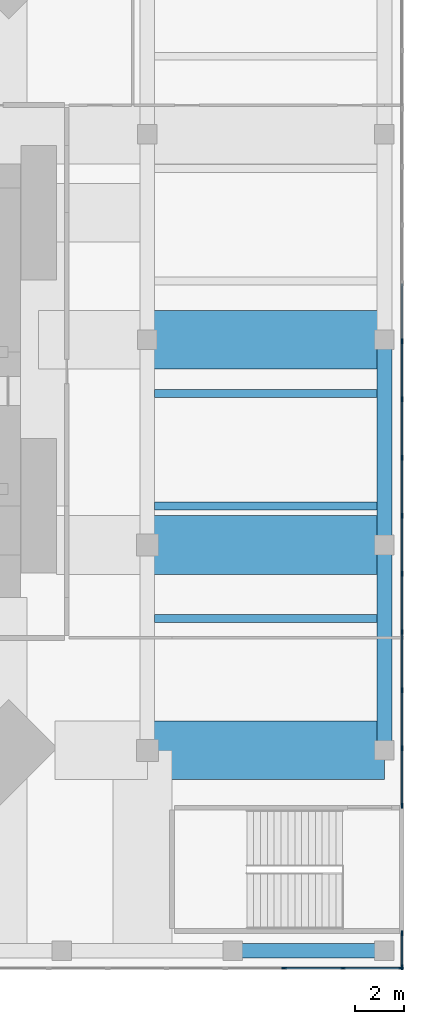
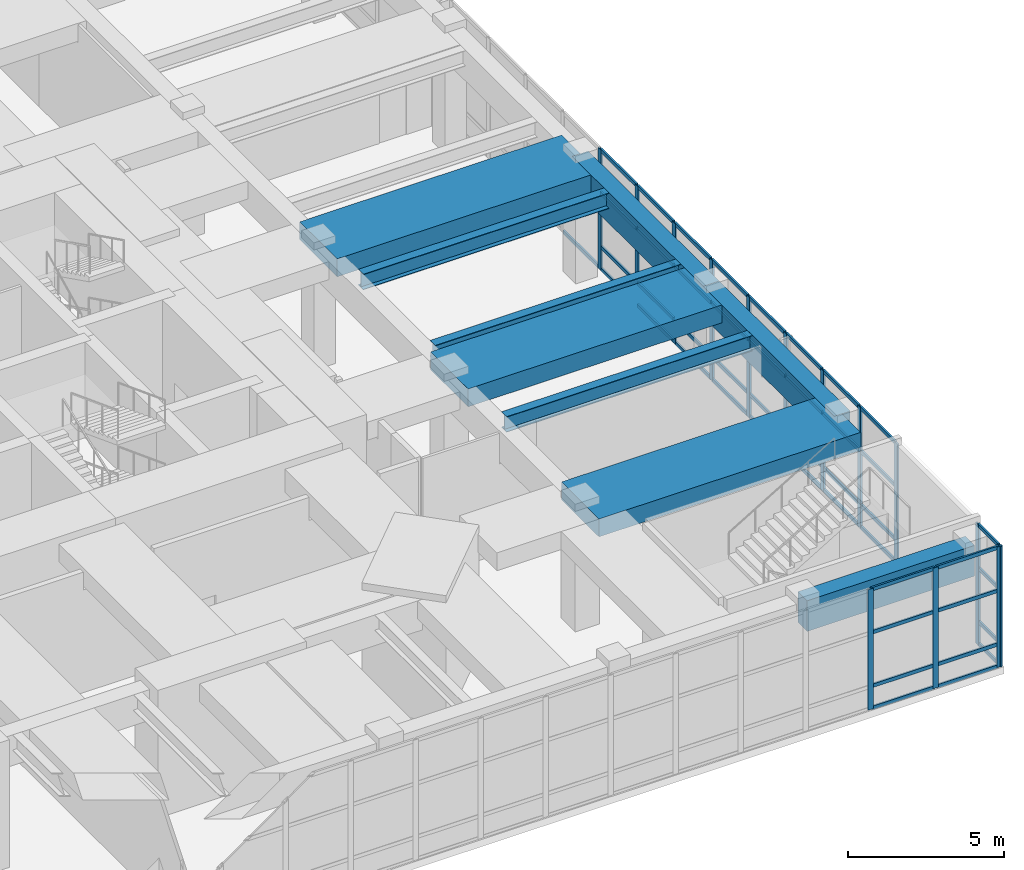
# One storey, part 11 of 24: 59 members, 9 beams, 3 elements without a shape of their own.
"""IFC4 building model written with IfcOpenShell, lengths in metres."""

from ifc_helpers import new_model, si_unit, direction, frame, origin, origin_2d, place, context, subcontext, project, spatial, rectangle, i_section, extrude, material, material_profile, profile_set, type_object, element, aggregate, save


model = new_model("IFC4")

# Units and contexts
model_context = context("Model", 3, precision=1e-05, world=origin(), true_north=direction((0.0, 1.0)))
body_context = subcontext(model_context, "Body", "Model", "MODEL_VIEW")
ifc_project = project(units=[si_unit("LENGTHUNIT", "METRE"), si_unit("AREAUNIT", "SQUARE_METRE"), si_unit("VOLUMEUNIT", "CUBIC_METRE"), si_unit("PLANEANGLEUNIT", "RADIAN"), si_unit("MASSUNIT", "GRAM", prefix="KILO")], contexts=[model_context])

# Site, building, storey
site_placement = place(None, origin())
site = spatial("IfcSite", under=ifc_project, at=site_placement, CompositionType="ELEMENT")
building_placement = place(site_placement, origin())
building = spatial("IfcBuilding", under=site, at=building_placement, Name="Jalousie Tower", CompositionType="ELEMENT")
storey_placement = place(building_placement, frame((0.0, 0.0, 11.0)))
storey = spatial("IfcBuildingStorey", under=building, at=storey_placement, Name="L02", CompositionType="ELEMENT", Elevation=11.0)

# Beams
ifc_material_1 = material(Name="Steel ASTM A992 Grade 50", Category="steel")
ifc_material_profile_1 = material_profile(ifc_material_1, i_section(OverallWidth=0.3251953125, OverallDepth=0.612060546875, WebThickness=0.0126953125, FlangeThickness=0.01904296875, at=origin_2d()), Name="W24X104")
ifc_profile_set_1 = profile_set([ifc_material_profile_1], Name="Steel ASTM A992 Grade 50")
beam_type_1 = type_object("IfcBeamType", Name="PLANT FLOOR BEAM W24X104", PredefinedType="BEAM", material=ifc_profile_set_1)
for number, where, z_axis, x_axis, name in (
    (1, (49.800048828125, 8.39990234375, 4.413818359375), (1.0, 0.0, 0.0), (0.0, 1.0, 0.0), "Plant floor beam under Air handling plant room L03"),
    (2, (49.800048828125, 13.0, 4.413818359375), (1.0, 0.0, 0.0), (0.0, 1.0, 0.0), "Plant floor beam under Air handling plant room L03"),
    (3, (49.800048828125, 17.60009765625, 4.413818359375), (1.0, 0.0, 0.0), (0.0, 1.0, 0.0), "Plant floor beam under Air handling plant room L03"),
):
    element("IfcBeam", number, at=place(storey_placement, frame(where, z_axis=z_axis, x_axis=x_axis)), inside=storey, type_object=beam_type_1, Name=name, PredefinedType="BEAM", context=body_context, shape_type="SweptSolid", body=[
        extrude(i_section(OverallWidth=0.3251953125, OverallDepth=0.612060546875, WebThickness=0.0126953125, FlangeThickness=0.01904296875, at=origin_2d()), origin(), (0.0, 0.0, 1.0), 9.099853515625),
    ])

# Curtain wall, members
ifc_material_2 = material(Name="Aluminium curtain wall", Category="aluminium")
curtain_wall_type = type_object("IfcCurtainWallType", Name="PODIUM WINDOW WALL", PredefinedType="USERDEFINED", material=ifc_material_2)
curtain_wall_1_placement = place(storey_placement, origin())
curtain_wall_1 = element("IfcCurtainWall", 4, at=curtain_wall_1_placement, inside=storey, type_object=curtain_wall_type, Name="Podium Window Wall L02 1", ObjectType="PODIUM WINDOW WALL", PredefinedType="USERDEFINED")
ifc_material_3 = material(Name="Aluminium mullion", Category="aluminium")
ifc_material_profile_2 = material_profile(ifc_material_3, rectangle(XDim=0.070068359375, YDim=0.199951171875, at=origin_2d()), Name="MULLION 70x200")
ifc_profile_set_2 = profile_set([ifc_material_profile_2], Name="Aluminium mullion")
member_type_1 = type_object("IfcMemberType", Name="PODIUM WINDOW WALL MULLION", PredefinedType="MULLION", material=ifc_profile_set_2)
member_1_placement = place(storey_placement, frame((55.096923828125, -5.91259765625, 0.0), z_axis=(0.0, 0.0, 1.0), x_axis=(0.0, 1.0, 0.0)))
member_1 = element("IfcMember", 5, at=member_1_placement, type_object=member_type_1, Name="CW-P mullion 28", PredefinedType="MULLION", context=body_context, shape_type="SweptSolid", body=[
    extrude(rectangle(XDim=0.070068359375, YDim=0.199951171875, at=origin_2d()), origin(), (0.0, 0.0, 1.0), 4.719970703125),
])
member_2_placement = place(storey_placement, frame((57.504638671875, -5.91259765625, 0.0), z_axis=(0.0, 0.0, 1.0), x_axis=(0.0, 1.0, 0.0)))
member_2 = element("IfcMember", 6, at=member_2_placement, type_object=member_type_1, Name="CW-P mullion 29", PredefinedType="MULLION", context=body_context, shape_type="SweptSolid", body=[
    extrude(rectangle(XDim=0.070068359375, YDim=0.199951171875, at=origin_2d()), origin(), (0.0, 0.0, 1.0), 4.719970703125),
])
member_3_placement = place(storey_placement, frame((59.87744140625, -5.91259765625, 0.0), z_axis=(0.0, 0.0, 1.0), x_axis=(0.0, 1.0, 0.0)))
member_3 = element("IfcMember", 7, at=member_3_placement, type_object=member_type_1, Name="CW-P mullion 30", PredefinedType="MULLION", context=body_context, shape_type="SweptSolid", body=[
    extrude(rectangle(XDim=0.070068359375, YDim=0.199951171875, at=origin_2d()), origin(), (0.0, 0.0, 1.0), 4.719970703125),
])

curtain_wall_2_placement = place(storey_placement, origin())
curtain_wall_2 = element("IfcCurtainWall", 8, at=curtain_wall_2_placement, inside=storey, type_object=curtain_wall_type, Name="Podium Window Wall L02 11", ObjectType="PODIUM WINDOW WALL", PredefinedType="USERDEFINED")
member_4_placement = place(storey_placement, frame((59.91259765625, -5.87744140625, 0.0), z_axis=(0.0, 0.0, 1.0), x_axis=(-1.0, 0.0, 0.0)))
member_4 = element("IfcMember", 9, at=member_4_placement, type_object=member_type_1, Name="CW-P mullion 1", PredefinedType="MULLION", context=body_context, shape_type="SweptSolid", body=[
    extrude(rectangle(XDim=0.070068359375, YDim=0.199951171875, at=origin_2d()), origin(), (0.0, 0.0, 1.0), 4.719970703125),
])
member_5_placement = place(storey_placement, frame((59.91259765625, -4.485107421875, 0.0), z_axis=(0.0, 0.0, 1.0), x_axis=(-1.0, 0.0, 0.0)))
member_5 = element("IfcMember", 10, at=member_5_placement, type_object=member_type_1, Name="CW-P mullion 2", PredefinedType="MULLION", context=body_context, shape_type="SweptSolid", body=[
    extrude(rectangle(XDim=0.070068359375, YDim=0.199951171875, at=origin_2d()), origin(), (0.0, 0.0, 1.0), 4.719970703125),
])

curtain_wall_3_placement = place(storey_placement, origin())
curtain_wall_3 = element("IfcCurtainWall", 11, at=curtain_wall_3_placement, inside=storey, type_object=curtain_wall_type, Name="Podium Window Wall L02 13", ObjectType="PODIUM WINDOW WALL", PredefinedType="USERDEFINED")
member_6_placement = place(storey_placement, frame((59.91259765625, 0.735107421875, 0.0), z_axis=(0.0, 0.0, 1.0), x_axis=(-1.0, 0.0, 0.0)))
member_6 = element("IfcMember", 12, at=member_6_placement, type_object=member_type_1, Name="CW-P mullion 1", PredefinedType="MULLION", context=body_context, shape_type="SweptSolid", body=[
    extrude(rectangle(XDim=0.070068359375, YDim=0.199951171875, at=origin_2d()), origin(), (0.0, 0.0, 1.0), 4.719970703125),
])
member_7_placement = place(storey_placement, frame((59.91259765625, 3.07958984375, 0.0), z_axis=(0.0, 0.0, 1.0), x_axis=(-1.0, 0.0, 0.0)))
member_7 = element("IfcMember", 13, at=member_7_placement, type_object=member_type_1, Name="CW-P mullion 2", PredefinedType="MULLION", context=body_context, shape_type="SweptSolid", body=[
    extrude(rectangle(XDim=0.070068359375, YDim=0.199951171875, at=origin_2d()), origin(), (0.0, 0.0, 1.0), 4.719970703125),
])
member_8_placement = place(storey_placement, frame((59.91259765625, 5.459228515625, 0.0), z_axis=(0.0, 0.0, 1.0), x_axis=(-1.0, 0.0, 0.0)))
member_8 = element("IfcMember", 14, at=member_8_placement, type_object=member_type_1, Name="CW-P mullion 3", PredefinedType="MULLION", context=body_context, shape_type="SweptSolid", body=[
    extrude(rectangle(XDim=0.070068359375, YDim=0.199951171875, at=origin_2d()), origin(), (0.0, 0.0, 1.0), 4.719970703125),
])
member_9_placement = place(storey_placement, frame((59.91259765625, 7.8388671875, 0.0), z_axis=(0.0, 0.0, 1.0), x_axis=(-1.0, 0.0, 0.0)))
member_9 = element("IfcMember", 15, at=member_9_placement, type_object=member_type_1, Name="CW-P mullion 4", PredefinedType="MULLION", context=body_context, shape_type="SweptSolid", body=[
    extrude(rectangle(XDim=0.070068359375, YDim=0.199951171875, at=origin_2d()), origin(), (0.0, 0.0, 1.0), 4.719970703125),
])
member_10_placement = place(storey_placement, frame((59.91259765625, 10.218505859375, 0.0), z_axis=(0.0, 0.0, 1.0), x_axis=(-1.0, 0.0, 0.0)))
member_10 = element("IfcMember", 16, at=member_10_placement, type_object=member_type_1, Name="CW-P mullion 5", PredefinedType="MULLION", context=body_context, shape_type="SweptSolid", body=[
    extrude(rectangle(XDim=0.070068359375, YDim=0.199951171875, at=origin_2d()), origin(), (0.0, 0.0, 1.0), 4.719970703125),
])
member_11_placement = place(storey_placement, frame((59.91259765625, 12.59814453125, 0.0), z_axis=(0.0, 0.0, 1.0), x_axis=(-1.0, 0.0, 0.0)))
member_11 = element("IfcMember", 17, at=member_11_placement, type_object=member_type_1, Name="CW-P mullion 6", PredefinedType="MULLION", context=body_context, shape_type="SweptSolid", body=[
    extrude(rectangle(XDim=0.070068359375, YDim=0.199951171875, at=origin_2d()), origin(), (0.0, 0.0, 1.0), 4.719970703125),
])
member_12_placement = place(storey_placement, frame((59.91259765625, 14.9775390625, 0.0), z_axis=(0.0, 0.0, 1.0), x_axis=(-1.0, 0.0, 0.0)))
member_12 = element("IfcMember", 18, at=member_12_placement, type_object=member_type_1, Name="CW-P mullion 7", PredefinedType="MULLION", context=body_context, shape_type="SweptSolid", body=[
    extrude(rectangle(XDim=0.070068359375, YDim=0.199951171875, at=origin_2d()), origin(), (0.0, 0.0, 1.0), 4.719970703125),
])
member_13_placement = place(storey_placement, frame((59.91259765625, 17.357177734375, 0.0), z_axis=(0.0, 0.0, 1.0), x_axis=(-1.0, 0.0, 0.0)))
member_13 = element("IfcMember", 19, at=member_13_placement, type_object=member_type_1, Name="CW-P mullion 8", PredefinedType="MULLION", context=body_context, shape_type="SweptSolid", body=[
    extrude(rectangle(XDim=0.070068359375, YDim=0.199951171875, at=origin_2d()), origin(), (0.0, 0.0, 1.0), 4.719970703125),
])
member_14_placement = place(storey_placement, frame((59.91259765625, 19.73681640625, 0.0), z_axis=(0.0, 0.0, 1.0), x_axis=(-1.0, 0.0, 0.0)))
member_14 = element("IfcMember", 20, at=member_14_placement, type_object=member_type_1, Name="CW-P mullion 9", PredefinedType="MULLION", context=body_context, shape_type="SweptSolid", body=[
    extrude(rectangle(XDim=0.070068359375, YDim=0.199951171875, at=origin_2d()), origin(), (0.0, 0.0, 1.0), 4.719970703125),
])

# Member
ifc_material_4 = material(Name="Aluminium transom", Category="aluminium")
ifc_material_profile_3 = material_profile(ifc_material_4, rectangle(XDim=0.070068359375, YDim=0.139892578125, at=origin_2d()), Name="TRANSOM 70x140")
ifc_profile_set_3 = profile_set([ifc_material_profile_3], Name="Aluminium transom")
member_type_2 = type_object("IfcMemberType", Name="PODIUM WINDOW WALL TRANSOM", PredefinedType="USERDEFINED", material=ifc_profile_set_3)
member_15_placement = place(storey_placement, frame((55.132080078125, -5.91259765625, 0.034912109375), z_axis=(1.0, 0.0, 0.0), x_axis=(0.0, 1.0, 0.0)))
member_15 = element("IfcMember", 21, at=member_15_placement, type_object=member_type_2, Name="CW-P transom 28.1", ObjectType="TRANSOM", PredefinedType="USERDEFINED", context=body_context, shape_type="SweptSolid", body=[
    extrude(rectangle(XDim=0.070068359375, YDim=0.139892578125, at=origin_2d()), origin(), (0.0, 0.0, 1.0), 2.337646484375),
])

member_16_placement = place(storey_placement, frame((55.132080078125, -5.91259765625, 0.89990234375), z_axis=(1.0, 0.0, 0.0), x_axis=(0.0, 1.0, 0.0)))
member_16 = element("IfcMember", 22, at=member_16_placement, type_object=member_type_2, Name="CW-P transom 28.2", ObjectType="TRANSOM", PredefinedType="USERDEFINED", context=body_context, shape_type="SweptSolid", body=[
    extrude(rectangle(XDim=0.070068359375, YDim=0.139892578125, at=origin_2d()), origin(), (0.0, 0.0, 1.0), 2.337646484375),
])

member_17_placement = place(storey_placement, frame((55.132080078125, -5.91259765625, 3.0), z_axis=(1.0, 0.0, 0.0), x_axis=(0.0, 1.0, 0.0)))
member_17 = element("IfcMember", 23, at=member_17_placement, type_object=member_type_2, Name="CW-P transom 28.3", ObjectType="TRANSOM", PredefinedType="USERDEFINED", context=body_context, shape_type="SweptSolid", body=[
    extrude(rectangle(XDim=0.070068359375, YDim=0.139892578125, at=origin_2d()), origin(), (0.0, 0.0, 1.0), 2.337646484375),
])

member_18_placement = place(storey_placement, frame((55.132080078125, -5.91259765625, 4.68505859375), z_axis=(1.0, 0.0, 0.0), x_axis=(0.0, 1.0, 0.0)))
member_18 = element("IfcMember", 24, at=member_18_placement, type_object=member_type_2, Name="CW-P transom 28.4", ObjectType="TRANSOM", PredefinedType="USERDEFINED", context=body_context, shape_type="SweptSolid", body=[
    extrude(rectangle(XDim=0.070068359375, YDim=0.139892578125, at=origin_2d()), origin(), (0.0, 0.0, 1.0), 2.337646484375),
])

member_19_placement = place(storey_placement, frame((57.539794921875, -5.91259765625, 0.034912109375), z_axis=(1.0, 0.0, 0.0), x_axis=(0.0, 1.0, 0.0)))
member_19 = element("IfcMember", 25, at=member_19_placement, type_object=member_type_2, Name="CW-P transom 29.1", ObjectType="TRANSOM", PredefinedType="USERDEFINED", context=body_context, shape_type="SweptSolid", body=[
    extrude(rectangle(XDim=0.070068359375, YDim=0.139892578125, at=origin_2d()), origin(), (0.0, 0.0, 1.0), 2.302734375),
])

member_20_placement = place(storey_placement, frame((57.539794921875, -5.91259765625, 0.89990234375), z_axis=(1.0, 0.0, 0.0), x_axis=(0.0, 1.0, 0.0)))
member_20 = element("IfcMember", 26, at=member_20_placement, type_object=member_type_2, Name="CW-P transom 29.2", ObjectType="TRANSOM", PredefinedType="USERDEFINED", context=body_context, shape_type="SweptSolid", body=[
    extrude(rectangle(XDim=0.070068359375, YDim=0.139892578125, at=origin_2d()), origin(), (0.0, 0.0, 1.0), 2.302734375),
])

member_21_placement = place(storey_placement, frame((57.539794921875, -5.91259765625, 3.0), z_axis=(1.0, 0.0, 0.0), x_axis=(0.0, 1.0, 0.0)))
member_21 = element("IfcMember", 27, at=member_21_placement, type_object=member_type_2, Name="CW-P transom 29.3", ObjectType="TRANSOM", PredefinedType="USERDEFINED", context=body_context, shape_type="SweptSolid", body=[
    extrude(rectangle(XDim=0.070068359375, YDim=0.139892578125, at=origin_2d()), origin(), (0.0, 0.0, 1.0), 2.302734375),
])

member_22_placement = place(storey_placement, frame((57.539794921875, -5.91259765625, 4.68505859375), z_axis=(1.0, 0.0, 0.0), x_axis=(0.0, 1.0, 0.0)))
member_22 = element("IfcMember", 28, at=member_22_placement, type_object=member_type_2, Name="CW-P transom 29.4", ObjectType="TRANSOM", PredefinedType="USERDEFINED", context=body_context, shape_type="SweptSolid", body=[
    extrude(rectangle(XDim=0.070068359375, YDim=0.139892578125, at=origin_2d()), origin(), (0.0, 0.0, 1.0), 2.302734375),
])

aggregate(curtain_wall_1, [member_1, member_2, member_3, member_15, member_16, member_17, member_18, member_19, member_20, member_21, member_22])

member_23_placement = place(storey_placement, frame((59.91259765625, -5.842529296875, 0.034912109375), z_axis=(0.0, 1.0, 0.0), x_axis=(-1.0, 0.0, 0.0)))
member_23 = element("IfcMember", 29, at=member_23_placement, type_object=member_type_2, Name="CW-P transom 1.1", ObjectType="TRANSOM", PredefinedType="USERDEFINED", context=body_context, shape_type="SweptSolid", body=[
    extrude(rectangle(XDim=0.070068359375, YDim=0.139892578125, at=origin_2d()), origin(), (0.0, 0.0, 1.0), 1.322509765625),
])

member_24_placement = place(storey_placement, frame((59.91259765625, -5.842529296875, 0.89990234375), z_axis=(0.0, 1.0, 0.0), x_axis=(-1.0, 0.0, 0.0)))
member_24 = element("IfcMember", 30, at=member_24_placement, type_object=member_type_2, Name="CW-P transom 1.2", ObjectType="TRANSOM", PredefinedType="USERDEFINED", context=body_context, shape_type="SweptSolid", body=[
    extrude(rectangle(XDim=0.070068359375, YDim=0.139892578125, at=origin_2d()), origin(), (0.0, 0.0, 1.0), 1.322509765625),
])

member_25_placement = place(storey_placement, frame((59.91259765625, -5.842529296875, 3.0), z_axis=(0.0, 1.0, 0.0), x_axis=(-1.0, 0.0, 0.0)))
member_25 = element("IfcMember", 31, at=member_25_placement, type_object=member_type_2, Name="CW-P transom 1.3", ObjectType="TRANSOM", PredefinedType="USERDEFINED", context=body_context, shape_type="SweptSolid", body=[
    extrude(rectangle(XDim=0.070068359375, YDim=0.139892578125, at=origin_2d()), origin(), (0.0, 0.0, 1.0), 1.322509765625),
])

member_26_placement = place(storey_placement, frame((59.91259765625, -5.842529296875, 4.68505859375), z_axis=(0.0, 1.0, 0.0), x_axis=(-1.0, 0.0, 0.0)))
member_26 = element("IfcMember", 32, at=member_26_placement, type_object=member_type_2, Name="CW-P transom 1.4", ObjectType="TRANSOM", PredefinedType="USERDEFINED", context=body_context, shape_type="SweptSolid", body=[
    extrude(rectangle(XDim=0.070068359375, YDim=0.139892578125, at=origin_2d()), origin(), (0.0, 0.0, 1.0), 1.322509765625),
])

aggregate(curtain_wall_2, [member_4, member_5, member_23, member_24, member_25, member_26])

member_27_placement = place(storey_placement, frame((59.91259765625, 0.77001953125, 0.034912109375), z_axis=(0.0, 1.0, 0.0), x_axis=(-1.0, 0.0, 0.0)))
member_27 = element("IfcMember", 33, at=member_27_placement, type_object=member_type_2, Name="CW-P transom 1.1", ObjectType="TRANSOM", PredefinedType="USERDEFINED", context=body_context, shape_type="SweptSolid", body=[
    extrude(rectangle(XDim=0.070068359375, YDim=0.139892578125, at=origin_2d()), origin(), (0.0, 0.0, 1.0), 2.274658203125),
])

member_28_placement = place(storey_placement, frame((59.91259765625, 0.77001953125, 0.89990234375), z_axis=(0.0, 1.0, 0.0), x_axis=(-1.0, 0.0, 0.0)))
member_28 = element("IfcMember", 34, at=member_28_placement, type_object=member_type_2, Name="CW-P transom 1.2", ObjectType="TRANSOM", PredefinedType="USERDEFINED", context=body_context, shape_type="SweptSolid", body=[
    extrude(rectangle(XDim=0.070068359375, YDim=0.139892578125, at=origin_2d()), origin(), (0.0, 0.0, 1.0), 2.274658203125),
])

member_29_placement = place(storey_placement, frame((59.91259765625, 0.77001953125, 3.0), z_axis=(0.0, 1.0, 0.0), x_axis=(-1.0, 0.0, 0.0)))
member_29 = element("IfcMember", 35, at=member_29_placement, type_object=member_type_2, Name="CW-P transom 1.3", ObjectType="TRANSOM", PredefinedType="USERDEFINED", context=body_context, shape_type="SweptSolid", body=[
    extrude(rectangle(XDim=0.070068359375, YDim=0.139892578125, at=origin_2d()), origin(), (0.0, 0.0, 1.0), 2.274658203125),
])

member_30_placement = place(storey_placement, frame((59.91259765625, 0.77001953125, 4.68505859375), z_axis=(0.0, 1.0, 0.0), x_axis=(-1.0, 0.0, 0.0)))
member_30 = element("IfcMember", 36, at=member_30_placement, type_object=member_type_2, Name="CW-P transom 1.4", ObjectType="TRANSOM", PredefinedType="USERDEFINED", context=body_context, shape_type="SweptSolid", body=[
    extrude(rectangle(XDim=0.070068359375, YDim=0.139892578125, at=origin_2d()), origin(), (0.0, 0.0, 1.0), 2.274658203125),
])

member_31_placement = place(storey_placement, frame((59.91259765625, 3.114501953125, 0.034912109375), z_axis=(0.0, 1.0, 0.0), x_axis=(-1.0, 0.0, 0.0)))
member_31 = element("IfcMember", 37, at=member_31_placement, type_object=member_type_2, Name="CW-P transom 2.1", ObjectType="TRANSOM", PredefinedType="USERDEFINED", context=body_context, shape_type="SweptSolid", body=[
    extrude(rectangle(XDim=0.070068359375, YDim=0.139892578125, at=origin_2d()), origin(), (0.0, 0.0, 1.0), 2.309814453125),
])

member_32_placement = place(storey_placement, frame((59.91259765625, 3.114501953125, 0.89990234375), z_axis=(0.0, 1.0, 0.0), x_axis=(-1.0, 0.0, 0.0)))
member_32 = element("IfcMember", 38, at=member_32_placement, type_object=member_type_2, Name="CW-P transom 2.2", ObjectType="TRANSOM", PredefinedType="USERDEFINED", context=body_context, shape_type="SweptSolid", body=[
    extrude(rectangle(XDim=0.070068359375, YDim=0.139892578125, at=origin_2d()), origin(), (0.0, 0.0, 1.0), 2.309814453125),
])

member_33_placement = place(storey_placement, frame((59.91259765625, 3.114501953125, 3.0), z_axis=(0.0, 1.0, 0.0), x_axis=(-1.0, 0.0, 0.0)))
member_33 = element("IfcMember", 39, at=member_33_placement, type_object=member_type_2, Name="CW-P transom 2.3", ObjectType="TRANSOM", PredefinedType="USERDEFINED", context=body_context, shape_type="SweptSolid", body=[
    extrude(rectangle(XDim=0.070068359375, YDim=0.139892578125, at=origin_2d()), origin(), (0.0, 0.0, 1.0), 2.309814453125),
])

member_34_placement = place(storey_placement, frame((59.91259765625, 3.114501953125, 4.68505859375), z_axis=(0.0, 1.0, 0.0), x_axis=(-1.0, 0.0, 0.0)))
member_34 = element("IfcMember", 40, at=member_34_placement, type_object=member_type_2, Name="CW-P transom 2.4", ObjectType="TRANSOM", PredefinedType="USERDEFINED", context=body_context, shape_type="SweptSolid", body=[
    extrude(rectangle(XDim=0.070068359375, YDim=0.139892578125, at=origin_2d()), origin(), (0.0, 0.0, 1.0), 2.309814453125),
])

member_35_placement = place(storey_placement, frame((59.91259765625, 5.494140625, 0.034912109375), z_axis=(0.0, 1.0, 0.0), x_axis=(-1.0, 0.0, 0.0)))
member_35 = element("IfcMember", 41, at=member_35_placement, type_object=member_type_2, Name="CW-P transom 3.1", ObjectType="TRANSOM", PredefinedType="USERDEFINED", context=body_context, shape_type="SweptSolid", body=[
    extrude(rectangle(XDim=0.070068359375, YDim=0.139892578125, at=origin_2d()), origin(), (0.0, 0.0, 1.0), 2.3095703125),
])

member_36_placement = place(storey_placement, frame((59.91259765625, 5.494140625, 0.89990234375), z_axis=(0.0, 1.0, 0.0), x_axis=(-1.0, 0.0, 0.0)))
member_36 = element("IfcMember", 42, at=member_36_placement, type_object=member_type_2, Name="CW-P transom 3.2", ObjectType="TRANSOM", PredefinedType="USERDEFINED", context=body_context, shape_type="SweptSolid", body=[
    extrude(rectangle(XDim=0.070068359375, YDim=0.139892578125, at=origin_2d()), origin(), (0.0, 0.0, 1.0), 2.3095703125),
])

member_37_placement = place(storey_placement, frame((59.91259765625, 5.494140625, 3.0), z_axis=(0.0, 1.0, 0.0), x_axis=(-1.0, 0.0, 0.0)))
member_37 = element("IfcMember", 43, at=member_37_placement, type_object=member_type_2, Name="CW-P transom 3.3", ObjectType="TRANSOM", PredefinedType="USERDEFINED", context=body_context, shape_type="SweptSolid", body=[
    extrude(rectangle(XDim=0.070068359375, YDim=0.139892578125, at=origin_2d()), origin(), (0.0, 0.0, 1.0), 2.3095703125),
])

member_38_placement = place(storey_placement, frame((59.91259765625, 5.494140625, 4.68505859375), z_axis=(0.0, 1.0, 0.0), x_axis=(-1.0, 0.0, 0.0)))
member_38 = element("IfcMember", 44, at=member_38_placement, type_object=member_type_2, Name="CW-P transom 3.4", ObjectType="TRANSOM", PredefinedType="USERDEFINED", context=body_context, shape_type="SweptSolid", body=[
    extrude(rectangle(XDim=0.070068359375, YDim=0.139892578125, at=origin_2d()), origin(), (0.0, 0.0, 1.0), 2.3095703125),
])

member_39_placement = place(storey_placement, frame((59.91259765625, 7.873779296875, 0.034912109375), z_axis=(0.0, 1.0, 0.0), x_axis=(-1.0, 0.0, 0.0)))
member_39 = element("IfcMember", 45, at=member_39_placement, type_object=member_type_2, Name="CW-P transom 4.1", ObjectType="TRANSOM", PredefinedType="USERDEFINED", context=body_context, shape_type="SweptSolid", body=[
    extrude(rectangle(XDim=0.070068359375, YDim=0.139892578125, at=origin_2d()), origin(), (0.0, 0.0, 1.0), 2.3095703125),
])

member_40_placement = place(storey_placement, frame((59.91259765625, 7.873779296875, 0.89990234375), z_axis=(0.0, 1.0, 0.0), x_axis=(-1.0, 0.0, 0.0)))
member_40 = element("IfcMember", 46, at=member_40_placement, type_object=member_type_2, Name="CW-P transom 4.2", ObjectType="TRANSOM", PredefinedType="USERDEFINED", context=body_context, shape_type="SweptSolid", body=[
    extrude(rectangle(XDim=0.070068359375, YDim=0.139892578125, at=origin_2d()), origin(), (0.0, 0.0, 1.0), 2.3095703125),
])

member_41_placement = place(storey_placement, frame((59.91259765625, 7.873779296875, 3.0), z_axis=(0.0, 1.0, 0.0), x_axis=(-1.0, 0.0, 0.0)))
member_41 = element("IfcMember", 47, at=member_41_placement, type_object=member_type_2, Name="CW-P transom 4.3", ObjectType="TRANSOM", PredefinedType="USERDEFINED", context=body_context, shape_type="SweptSolid", body=[
    extrude(rectangle(XDim=0.070068359375, YDim=0.139892578125, at=origin_2d()), origin(), (0.0, 0.0, 1.0), 2.3095703125),
])

member_42_placement = place(storey_placement, frame((59.91259765625, 7.873779296875, 4.68505859375), z_axis=(0.0, 1.0, 0.0), x_axis=(-1.0, 0.0, 0.0)))
member_42 = element("IfcMember", 48, at=member_42_placement, type_object=member_type_2, Name="CW-P transom 4.4", ObjectType="TRANSOM", PredefinedType="USERDEFINED", context=body_context, shape_type="SweptSolid", body=[
    extrude(rectangle(XDim=0.070068359375, YDim=0.139892578125, at=origin_2d()), origin(), (0.0, 0.0, 1.0), 2.3095703125),
])

member_43_placement = place(storey_placement, frame((59.91259765625, 10.25341796875, 0.034912109375), z_axis=(0.0, 1.0, 0.0), x_axis=(-1.0, 0.0, 0.0)))
member_43 = element("IfcMember", 49, at=member_43_placement, type_object=member_type_2, Name="CW-P transom 5.1", ObjectType="TRANSOM", PredefinedType="USERDEFINED", context=body_context, shape_type="SweptSolid", body=[
    extrude(rectangle(XDim=0.070068359375, YDim=0.139892578125, at=origin_2d()), origin(), (0.0, 0.0, 1.0), 2.3095703125),
])

member_44_placement = place(storey_placement, frame((59.91259765625, 10.25341796875, 0.89990234375), z_axis=(0.0, 1.0, 0.0), x_axis=(-1.0, 0.0, 0.0)))
member_44 = element("IfcMember", 50, at=member_44_placement, type_object=member_type_2, Name="CW-P transom 5.2", ObjectType="TRANSOM", PredefinedType="USERDEFINED", context=body_context, shape_type="SweptSolid", body=[
    extrude(rectangle(XDim=0.070068359375, YDim=0.139892578125, at=origin_2d()), origin(), (0.0, 0.0, 1.0), 2.3095703125),
])

member_45_placement = place(storey_placement, frame((59.91259765625, 10.25341796875, 3.0), z_axis=(0.0, 1.0, 0.0), x_axis=(-1.0, 0.0, 0.0)))
member_45 = element("IfcMember", 51, at=member_45_placement, type_object=member_type_2, Name="CW-P transom 5.3", ObjectType="TRANSOM", PredefinedType="USERDEFINED", context=body_context, shape_type="SweptSolid", body=[
    extrude(rectangle(XDim=0.070068359375, YDim=0.139892578125, at=origin_2d()), origin(), (0.0, 0.0, 1.0), 2.3095703125),
])

member_46_placement = place(storey_placement, frame((59.91259765625, 10.25341796875, 4.68505859375), z_axis=(0.0, 1.0, 0.0), x_axis=(-1.0, 0.0, 0.0)))
member_46 = element("IfcMember", 52, at=member_46_placement, type_object=member_type_2, Name="CW-P transom 5.4", ObjectType="TRANSOM", PredefinedType="USERDEFINED", context=body_context, shape_type="SweptSolid", body=[
    extrude(rectangle(XDim=0.070068359375, YDim=0.139892578125, at=origin_2d()), origin(), (0.0, 0.0, 1.0), 2.3095703125),
])

member_47_placement = place(storey_placement, frame((59.91259765625, 12.633056640625, 0.034912109375), z_axis=(0.0, 1.0, 0.0), x_axis=(-1.0, 0.0, 0.0)))
member_47 = element("IfcMember", 53, at=member_47_placement, type_object=member_type_2, Name="CW-P transom 6.1", ObjectType="TRANSOM", PredefinedType="USERDEFINED", context=body_context, shape_type="SweptSolid", body=[
    extrude(rectangle(XDim=0.070068359375, YDim=0.139892578125, at=origin_2d()), origin(), (0.0, 0.0, 1.0), 2.3095703125),
])

member_48_placement = place(storey_placement, frame((59.91259765625, 12.633056640625, 0.89990234375), z_axis=(0.0, 1.0, 0.0), x_axis=(-1.0, 0.0, 0.0)))
member_48 = element("IfcMember", 54, at=member_48_placement, type_object=member_type_2, Name="CW-P transom 6.2", ObjectType="TRANSOM", PredefinedType="USERDEFINED", context=body_context, shape_type="SweptSolid", body=[
    extrude(rectangle(XDim=0.070068359375, YDim=0.139892578125, at=origin_2d()), origin(), (0.0, 0.0, 1.0), 2.3095703125),
])

member_49_placement = place(storey_placement, frame((59.91259765625, 12.633056640625, 3.0), z_axis=(0.0, 1.0, 0.0), x_axis=(-1.0, 0.0, 0.0)))
member_49 = element("IfcMember", 55, at=member_49_placement, type_object=member_type_2, Name="CW-P transom 6.3", ObjectType="TRANSOM", PredefinedType="USERDEFINED", context=body_context, shape_type="SweptSolid", body=[
    extrude(rectangle(XDim=0.070068359375, YDim=0.139892578125, at=origin_2d()), origin(), (0.0, 0.0, 1.0), 2.3095703125),
])

member_50_placement = place(storey_placement, frame((59.91259765625, 12.633056640625, 4.68505859375), z_axis=(0.0, 1.0, 0.0), x_axis=(-1.0, 0.0, 0.0)))
member_50 = element("IfcMember", 56, at=member_50_placement, type_object=member_type_2, Name="CW-P transom 6.4", ObjectType="TRANSOM", PredefinedType="USERDEFINED", context=body_context, shape_type="SweptSolid", body=[
    extrude(rectangle(XDim=0.070068359375, YDim=0.139892578125, at=origin_2d()), origin(), (0.0, 0.0, 1.0), 2.3095703125),
])

member_51_placement = place(storey_placement, frame((59.91259765625, 15.0126953125, 0.034912109375), z_axis=(0.0, 1.0, 0.0), x_axis=(-1.0, 0.0, 0.0)))
member_51 = element("IfcMember", 57, at=member_51_placement, type_object=member_type_2, Name="CW-P transom 7.1", ObjectType="TRANSOM", PredefinedType="USERDEFINED", context=body_context, shape_type="SweptSolid", body=[
    extrude(rectangle(XDim=0.070068359375, YDim=0.139892578125, at=origin_2d()), origin(), (0.0, 0.0, 1.0), 2.3095703125),
])

member_52_placement = place(storey_placement, frame((59.91259765625, 15.0126953125, 0.89990234375), z_axis=(0.0, 1.0, 0.0), x_axis=(-1.0, 0.0, 0.0)))
member_52 = element("IfcMember", 58, at=member_52_placement, type_object=member_type_2, Name="CW-P transom 7.2", ObjectType="TRANSOM", PredefinedType="USERDEFINED", context=body_context, shape_type="SweptSolid", body=[
    extrude(rectangle(XDim=0.070068359375, YDim=0.139892578125, at=origin_2d()), origin(), (0.0, 0.0, 1.0), 2.3095703125),
])

member_53_placement = place(storey_placement, frame((59.91259765625, 15.0126953125, 3.0), z_axis=(0.0, 1.0, 0.0), x_axis=(-1.0, 0.0, 0.0)))
member_53 = element("IfcMember", 59, at=member_53_placement, type_object=member_type_2, Name="CW-P transom 7.3", ObjectType="TRANSOM", PredefinedType="USERDEFINED", context=body_context, shape_type="SweptSolid", body=[
    extrude(rectangle(XDim=0.070068359375, YDim=0.139892578125, at=origin_2d()), origin(), (0.0, 0.0, 1.0), 2.3095703125),
])

member_54_placement = place(storey_placement, frame((59.91259765625, 15.0126953125, 4.68505859375), z_axis=(0.0, 1.0, 0.0), x_axis=(-1.0, 0.0, 0.0)))
member_54 = element("IfcMember", 60, at=member_54_placement, type_object=member_type_2, Name="CW-P transom 7.4", ObjectType="TRANSOM", PredefinedType="USERDEFINED", context=body_context, shape_type="SweptSolid", body=[
    extrude(rectangle(XDim=0.070068359375, YDim=0.139892578125, at=origin_2d()), origin(), (0.0, 0.0, 1.0), 2.3095703125),
])

member_55_placement = place(storey_placement, frame((59.91259765625, 17.392333984375, 0.034912109375), z_axis=(0.0, 1.0, 0.0), x_axis=(-1.0, 0.0, 0.0)))
member_55 = element("IfcMember", 61, at=member_55_placement, type_object=member_type_2, Name="CW-P transom 8.1", ObjectType="TRANSOM", PredefinedType="USERDEFINED", context=body_context, shape_type="SweptSolid", body=[
    extrude(rectangle(XDim=0.070068359375, YDim=0.139892578125, at=origin_2d()), origin(), (0.0, 0.0, 1.0), 2.3095703125),
])

member_56_placement = place(storey_placement, frame((59.91259765625, 17.392333984375, 0.89990234375), z_axis=(0.0, 1.0, 0.0), x_axis=(-1.0, 0.0, 0.0)))
member_56 = element("IfcMember", 62, at=member_56_placement, type_object=member_type_2, Name="CW-P transom 8.2", ObjectType="TRANSOM", PredefinedType="USERDEFINED", context=body_context, shape_type="SweptSolid", body=[
    extrude(rectangle(XDim=0.070068359375, YDim=0.139892578125, at=origin_2d()), origin(), (0.0, 0.0, 1.0), 2.3095703125),
])

member_57_placement = place(storey_placement, frame((59.91259765625, 17.392333984375, 3.0), z_axis=(0.0, 1.0, 0.0), x_axis=(-1.0, 0.0, 0.0)))
member_57 = element("IfcMember", 63, at=member_57_placement, type_object=member_type_2, Name="CW-P transom 8.3", ObjectType="TRANSOM", PredefinedType="USERDEFINED", context=body_context, shape_type="SweptSolid", body=[
    extrude(rectangle(XDim=0.070068359375, YDim=0.139892578125, at=origin_2d()), origin(), (0.0, 0.0, 1.0), 2.3095703125),
])

member_58_placement = place(storey_placement, frame((59.91259765625, 17.392333984375, 4.68505859375), z_axis=(0.0, 1.0, 0.0), x_axis=(-1.0, 0.0, 0.0)))
member_58 = element("IfcMember", 64, at=member_58_placement, type_object=member_type_2, Name="CW-P transom 8.4", ObjectType="TRANSOM", PredefinedType="USERDEFINED", context=body_context, shape_type="SweptSolid", body=[
    extrude(rectangle(XDim=0.070068359375, YDim=0.139892578125, at=origin_2d()), origin(), (0.0, 0.0, 1.0), 2.3095703125),
])

member_59_placement = place(storey_placement, frame((59.91259765625, 19.771728515625, 0.034912109375), z_axis=(0.0, 1.0, 0.0), x_axis=(-1.0, 0.0, 0.0)))
member_59 = element("IfcMember", 65, at=member_59_placement, type_object=member_type_2, Name="CW-P transom 9.1", ObjectType="TRANSOM", PredefinedType="USERDEFINED", context=body_context, shape_type="SweptSolid", body=[
    extrude(rectangle(XDim=0.070068359375, YDim=0.139892578125, at=origin_2d()), origin(), (0.0, 0.0, 1.0), 2.309814453125),
])

aggregate(curtain_wall_3, [member_6, member_7, member_8, member_9, member_10, member_11, member_12, member_13, member_14, member_27, member_28, member_29, member_30, member_31, member_32, member_33, member_34, member_35, member_36, member_37, member_38, member_39, member_40, member_41, member_42, member_43, member_44, member_45, member_46, member_47, member_48, member_49, member_50, member_51, member_52, member_53, member_54, member_55, member_56, member_57, member_58, member_59])

# Beams
ifc_material_5 = material(Name="Concrete f'c 40 MPa", Category="concrete")
ifc_material_profile_4 = material_profile(ifc_material_5, rectangle(XDim=2.39990234375, YDim=0.699951171875, at=origin_2d()), Name="RC 2400x700")
ifc_profile_set_4 = profile_set([ifc_material_profile_4], Name="Concrete f'c 40 MPa")
beam_type_2 = type_object("IfcBeamType", Name="RC BEAM 2400x700", PredefinedType="BEAM", material=ifc_profile_set_4)
for number, where, z_axis, x_axis, name in (
    (66, (49.5, 3.0, 4.3701171875), (1.0, 0.0, 0.0), (0.0, 1.0, 0.0), "Floor band beam under L03"),
    (67, (49.5, 11.39990234375, 4.3701171875), (1.0, 0.0, 0.0), (0.0, 1.0, 0.0), "Floor band beam under L03"),
    (68, (49.5, 19.800048828125, 4.3701171875), (1.0, 0.0, 0.0), (0.0, 1.0, 0.0), "Floor band beam under L03"),
):
    element("IfcBeam", number, at=place(storey_placement, frame(where, z_axis=z_axis, x_axis=x_axis)), inside=storey, type_object=beam_type_2, Name=name, PredefinedType="BEAM", context=body_context, shape_type="SweptSolid", body=[
        extrude(rectangle(XDim=2.39990234375, YDim=0.699951171875, at=origin_2d()), origin(), (0.0, 0.0, 1.0), 9.699951171875),
    ])
ifc_material_6 = material(Name="Concrete f'c 40 MPa", Category="concrete")
ifc_material_profile_5 = material_profile(ifc_material_6, rectangle(XDim=0.60009765625, YDim=1.199951171875, at=origin_2d()), Name="RC 600x1200")
ifc_profile_set_5 = profile_set([ifc_material_profile_5], Name="Concrete f'c 40 MPa")
beam_type_3 = type_object("IfcBeamType", Name="RC BEAM 600x1200", PredefinedType="BEAM", material=ifc_profile_set_5)
beam_1_placement = place(storey_placement, frame((53.0, -5.199951171875, 4.1201171875), z_axis=(1.0, 0.0, 0.0), x_axis=(0.0, 1.0, 0.0)))
element("IfcBeam", 69, at=beam_1_placement, inside=storey, type_object=beam_type_3, Name="Podium plant girder under L03 line y -5.2", PredefinedType="BEAM", context=body_context, shape_type="SweptSolid", body=[
    extrude(rectangle(XDim=0.60009765625, YDim=1.199951171875, at=origin_2d()), origin(), (0.0, 0.0, 1.0), 6.199951171875),
])
beam_2_placement = place(storey_placement, frame((59.199951171875, 3.0, 4.1201171875), z_axis=(0.0, 1.0, 0.0), x_axis=(-1.0, 0.0, 0.0)))
element("IfcBeam", 70, at=beam_2_placement, inside=storey, type_object=beam_type_3, Name="Podium plant girder under L03 line x 59.2", PredefinedType="BEAM", context=body_context, shape_type="SweptSolid", body=[
    extrude(rectangle(XDim=0.60009765625, YDim=1.199951171875, at=origin_2d()), origin(), (0.0, 0.0, 1.0), 8.39990234375),
])
beam_3_placement = place(storey_placement, frame((59.199951171875, 11.39990234375, 4.1201171875), z_axis=(0.0, 1.0, 0.0), x_axis=(-1.0, 0.0, 0.0)))
element("IfcBeam", 71, at=beam_3_placement, inside=storey, type_object=beam_type_3, Name="Podium plant girder under L03 line x 59.2", PredefinedType="BEAM", context=body_context, shape_type="SweptSolid", body=[
    extrude(rectangle(XDim=0.60009765625, YDim=1.199951171875, at=origin_2d()), origin(), (0.0, 0.0, 1.0), 8.400146484375),
])

save(model, "model.ifc")
